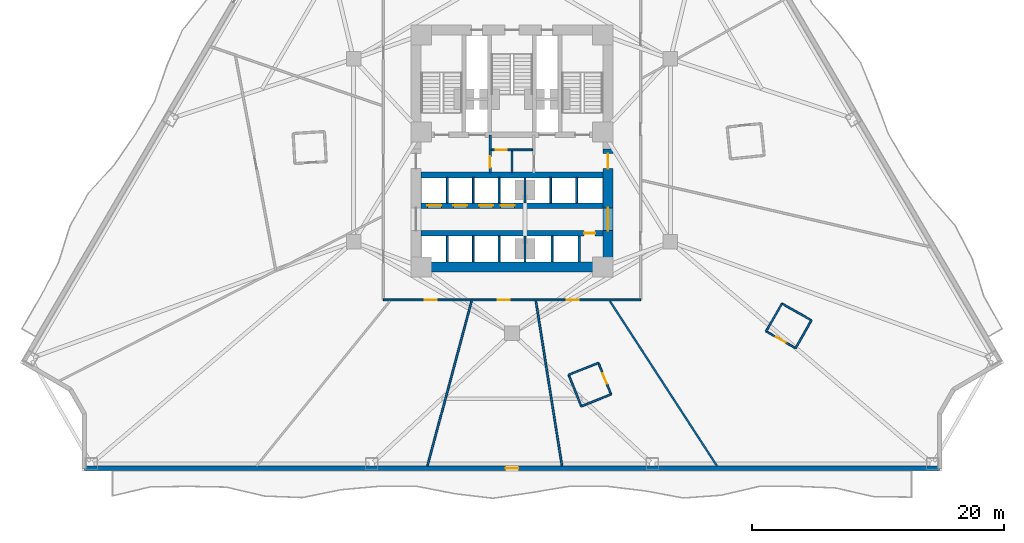
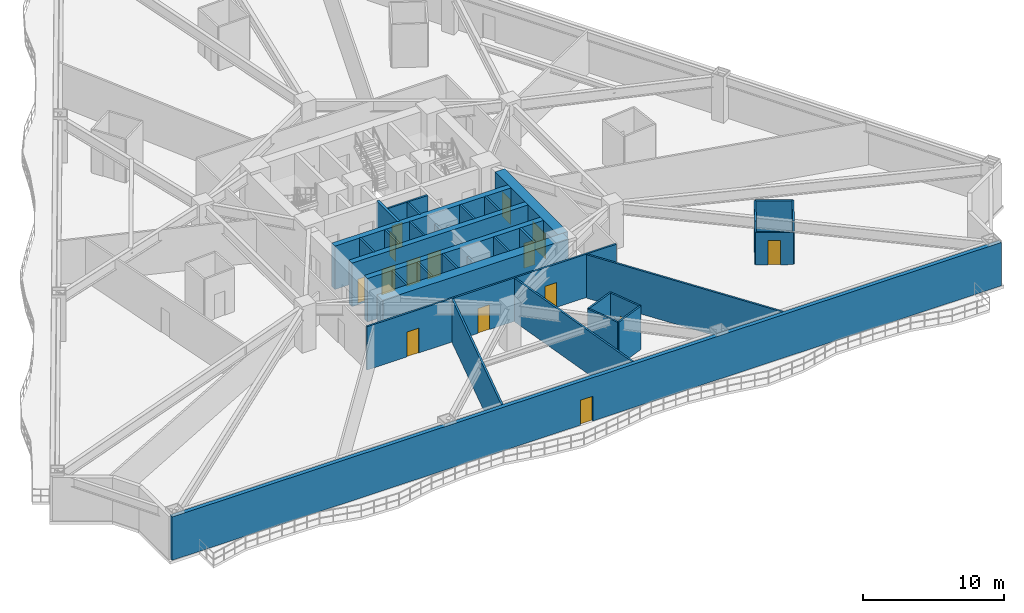
# One storey, part 4 of 12: 33 walls, 15 doors, 15 openings.
"""IFC4 building model written with IfcOpenShell, lengths in metres."""

from ifc_helpers import new_model, si_unit, direction, frame, frame_2d, origin, place, context, subcontext, project, spatial, rectangle, extrude, material, layer, layer_set, type_object, element, fill, save


model = new_model("IFC4")

# Units and contexts
model_context = context("Model", 3, precision=1e-05, world=origin(), true_north=direction((0.0, 1.0)))
body_context = subcontext(model_context, "Body", "Model", "MODEL_VIEW")
ifc_project = project(units=[si_unit("LENGTHUNIT", "METRE"), si_unit("AREAUNIT", "SQUARE_METRE"), si_unit("VOLUMEUNIT", "CUBIC_METRE"), si_unit("PLANEANGLEUNIT", "RADIAN"), si_unit("MASSUNIT", "GRAM", prefix="KILO")], contexts=[model_context])

# Site, building, storey
site_placement = place(None, origin())
site = spatial("IfcSite", under=ifc_project, at=site_placement, CompositionType="ELEMENT")
building_placement = place(site_placement, origin())
building = spatial("IfcBuilding", under=site, at=building_placement, Name="Apsidion Concourse Tower", CompositionType="ELEMENT")
storey_placement = place(building_placement, frame((0.0, 0.0, 42.39990234375)))
storey = spatial("IfcBuildingStorey", under=building, at=storey_placement, Name="L08", CompositionType="ELEMENT", Elevation=42.39990234375)

# Wall, opening, door
ifc_material_1 = material(Name="Precast concrete C40/50", Category="concrete")
ifc_layer_1 = layer(ifc_material_1, 0.320068359375)
ifc_layer_set_1 = layer_set([ifc_layer_1], Name="Precast concrete C40/50")
wall_type_1 = type_object("IfcWallType", Name="WL-EXT-320", PredefinedType="STANDARD", material=ifc_layer_set_1)
wall_1_placement = place(storey_placement, frame((33.88818359375, -25.199951171875, 0.0), z_axis=(0.0, 0.0, 1.0), x_axis=(-1.0, 0.0, 0.0)))
wall_1 = element("IfcWall", 1, at=wall_1_placement, inside=storey, type_object=wall_type_1, Name="L08 Precast Stone Facade Wall 05", PredefinedType="STANDARD", context=body_context, shape_type="SweptSolid", body=[
    extrude(rectangle(XDim=67.7763671875, YDim=0.320068359375, at=frame_2d((33.88818359375, 0.0))), origin(), (0.0, 0.0, 1.0), 3.75),
])
opening_1_placement = place(wall_1_placement, frame((33.38818359375, 0.0, 0.0)))
opening_1 = element("IfcOpeningElement", 2, at=opening_1_placement, cuts=wall_1, Name="Opening D-T1R", PredefinedType="OPENING", context=body_context, shape_type="SweptSolid", body=[
    extrude(rectangle(XDim=1.0, YDim=2.14990234375, at=frame_2d((0.5, 1.074951171875))), frame((0.0, 0.169921875, 0.0), z_axis=(0.0, -1.0, 0.0), x_axis=(1.0, 0.0, 0.0)), (0.0, 0.0, 1.0), 0.340087890625),
])
ifc_material_2 = material(Name="Anodised aluminium EN AW-6063 T6", Category="aluminium")
door_type_1 = type_object("IfcDoorType", Name="DR-TER-1022R", OperationType="SINGLE_SWING_RIGHT", PredefinedType="DOOR", material=ifc_material_2)
door_1_placement = place(opening_1_placement, origin())
door_1 = element("IfcDoor", 3, at=door_1_placement, inside=storey, type_object=door_type_1, Name="L08 Balcony Access Door 2", OperationType="SINGLE_SWING_RIGHT", OverallHeight=2.14990234375, OverallWidth=1.0, PredefinedType="DOOR", context=body_context, shape_type="SweptSolid", body=[
    extrude(rectangle(XDim=1.0, YDim=2.14990234375, at=frame_2d((0.5, 1.074951171875))), frame((0.0, 0.02490234375, 0.0), z_axis=(0.0, -1.0, 0.0), x_axis=(1.0, 0.0, 0.0)), (0.0, 0.0, 1.0), 0.050048828125),
])
fill(opening_1, door_1)

# Walls
ifc_material_3 = material(Name="Gypsum plasterboard partition")
ifc_layer_2 = layer(ifc_material_3, 0.139892578125)
ifc_layer_set_2 = layer_set([ifc_layer_2], Name="Gypsum plasterboard partition")
wall_type_2 = type_object("IfcWallType", Name="WL-INT-PAR-140", PredefinedType="PARTITIONING", material=ifc_layer_set_2)
wall_2_placement = place(storey_placement, frame((4.493408203125, -17.7958984375, 0.0), z_axis=(0.0, 0.0, 1.0), x_axis=(0.372939365788, -0.927855715855, 0.0)))
element("IfcWall", 4, at=wall_2_placement, inside=storey, type_object=wall_type_2, Name="L08 Interior Partition WL-L08-POD-ENS04-S1", PredefinedType="PARTITIONING", context=body_context, shape_type="SweptSolid", body=[
    extrude(rectangle(XDim=2.68994140625, YDim=0.139892578125, at=frame_2d((1.344970703125, 0.0))), origin(), (0.0, 0.0, 1.0), 3.75),
])
wall_3_placement = place(storey_placement, frame((5.49658203125, -20.291748046875, 0.0), z_axis=(0.0, 0.0, 1.0), x_axis=(0.927832366263, 0.372997453228, 0.0)))
element("IfcWall", 5, at=wall_3_placement, inside=storey, type_object=wall_type_2, Name="L08 Interior Partition WL-L08-POD-ENS04-S2", PredefinedType="PARTITIONING", context=body_context, shape_type="SweptSolid", body=[
    extrude(rectangle(XDim=2.540283203125, YDim=0.139892578125, at=frame_2d((1.27001953125, 0.0))), origin(), (0.0, 0.0, 1.0), 3.75),
])

# Wall, opening, door
wall_4_placement = place(storey_placement, frame((7.853515625, -19.34423828125, 0.0), z_axis=(0.0, 0.0, 1.0), x_axis=(-0.373017499945, 0.92782430704, 0.0)))
wall_4 = element("IfcWall", 6, at=wall_4_placement, inside=storey, type_object=wall_type_2, Name="L08 Interior Partition WL-L08-POD-ENS04-S3", PredefinedType="PARTITIONING", context=body_context, shape_type="SweptSolid", body=[
    extrude(rectangle(XDim=2.68994140625, YDim=0.139892578125, at=frame_2d((1.344970703125, 0.0))), origin(), (0.0, 0.0, 1.0), 3.75),
])
opening_2_placement = place(wall_4_placement, frame((0.905029296875, 0.0, 0.0)))
opening_2 = element("IfcOpeningElement", 7, at=opening_2_placement, cuts=wall_4, Name="Opening D-03L", PredefinedType="OPENING", context=body_context, shape_type="SweptSolid", body=[
    extrude(rectangle(XDim=0.8798828125, YDim=2.10009765625, at=frame_2d((0.43994140625, 1.050048828125))), frame((0.0, 0.080078125, 0.0), z_axis=(0.0, -1.0, 0.0), x_axis=(1.0, 0.0, 0.0)), (0.0, 0.0, 1.0), 0.159912109375),
])
door_type_2 = type_object("IfcDoorType", Name="DR-INT-D03L", OperationType="SINGLE_SWING_LEFT", PredefinedType="DOOR", material=ifc_material_2)
door_2_placement = place(opening_2_placement, origin())
door_2 = element("IfcDoor", 8, at=door_2_placement, inside=storey, type_object=door_type_2, Name="L08 Guest En-Suite Bathroom Door ENS04", OperationType="SINGLE_SWING_LEFT", OverallHeight=2.10009765625, OverallWidth=0.8798828125, PredefinedType="DOOR", context=body_context, shape_type="SweptSolid", body=[
    extrude(rectangle(XDim=0.8798828125, YDim=2.10009765625, at=frame_2d((0.43994140625, 1.050048828125))), frame((0.0, 0.02490234375, 0.0), z_axis=(0.0, -1.0, 0.0), x_axis=(1.0, 0.0, 0.0)), (0.0, 0.0, 1.0), 0.050048828125),
])
fill(opening_2, door_2)

# Wall
wall_5_placement = place(storey_placement, frame((6.85009765625, -16.848388671875, 0.0), z_axis=(0.0, 0.0, 1.0), x_axis=(-0.927818993164, -0.373030717132, 0.0)))
element("IfcWall", 9, at=wall_5_placement, inside=storey, type_object=wall_type_2, Name="L08 Interior Partition WL-L08-POD-ENS04-S4", PredefinedType="PARTITIONING", context=body_context, shape_type="SweptSolid", body=[
    extrude(rectangle(XDim=2.5400390625, YDim=0.139892578125, at=frame_2d((1.27001953125, 0.0))), origin(), (0.0, 0.0, 1.0), 3.75),
])

# Wall, opening, door
wall_6_placement = place(storey_placement, frame((20.142578125, -14.349853515625, 0.0), z_axis=(0.0, 0.0, 1.0), x_axis=(0.868639404981, -0.495444834583, 0.0)))
wall_6 = element("IfcWall", 10, at=wall_6_placement, inside=storey, type_object=wall_type_2, Name="L08 Interior Partition WL-L08-POD-ENS05-S1", PredefinedType="PARTITIONING", context=body_context, shape_type="SweptSolid", body=[
    extrude(rectangle(XDim=2.68994140625, YDim=0.139892578125, at=frame_2d((1.344970703125, 0.0))), origin(), (0.0, 0.0, 1.0), 2.798095703125),
])
opening_3_placement = place(wall_6_placement, frame((0.905029296875, 0.0, 0.0)))
opening_3 = element("IfcOpeningElement", 11, at=opening_3_placement, cuts=wall_6, Name="Opening D-03R", PredefinedType="OPENING", context=body_context, shape_type="SweptSolid", body=[
    extrude(rectangle(XDim=0.8798828125, YDim=2.10009765625, at=frame_2d((0.43994140625, 1.050048828125))), frame((0.0, 0.080078125, 0.0), z_axis=(0.0, -1.0, 0.0), x_axis=(1.0, 0.0, 0.0)), (0.0, 0.0, 1.0), 0.159912109375),
])
door_type_3 = type_object("IfcDoorType", Name="DR-INT-D03R", OperationType="SINGLE_SWING_RIGHT", PredefinedType="DOOR", material=ifc_material_2)
door_3_placement = place(opening_3_placement, origin())
door_3 = element("IfcDoor", 12, at=door_3_placement, inside=storey, type_object=door_type_3, Name="L08 Guest En-Suite Bathroom Door ENS05", OperationType="SINGLE_SWING_RIGHT", OverallHeight=2.10009765625, OverallWidth=0.8798828125, PredefinedType="DOOR", context=body_context, shape_type="SweptSolid", body=[
    extrude(rectangle(XDim=0.8798828125, YDim=2.10009765625, at=frame_2d((0.43994140625, 1.050048828125))), frame((0.0, 0.02490234375, 0.0), z_axis=(0.0, -1.0, 0.0), x_axis=(1.0, 0.0, 0.0)), (0.0, 0.0, 1.0), 0.050048828125),
])
fill(opening_3, door_3)

# Walls
wall_7_placement = place(storey_placement, frame((22.479248046875, -15.6826171875, 0.0), z_axis=(0.0, 0.0, 1.0), x_axis=(0.495486676876, 0.868615538105, 0.0)))
element("IfcWall", 13, at=wall_7_placement, inside=storey, type_object=wall_type_2, Name="L08 Interior Partition WL-L08-POD-ENS05-S2", PredefinedType="PARTITIONING", context=body_context, shape_type="SweptSolid", body=[
    extrude(rectangle(XDim=2.5400390625, YDim=0.139892578125, at=frame_2d((1.27001953125, 0.0))), origin(), (0.0, 0.0, 1.0), 3.75),
])
wall_8_placement = place(storey_placement, frame((23.73779296875, -13.476318359375, 0.0), z_axis=(0.0, 0.0, 1.0), x_axis=(-0.868639404981, 0.495444834583, 0.0)))
element("IfcWall", 14, at=wall_8_placement, inside=storey, type_object=wall_type_2, Name="L08 Interior Partition WL-L08-POD-ENS05-S3", PredefinedType="PARTITIONING", context=body_context, shape_type="SweptSolid", body=[
    extrude(rectangle(XDim=2.68994140625, YDim=0.139892578125, at=frame_2d((1.344970703125, 0.0))), origin(), (0.0, 0.0, 1.0), 3.75),
])
wall_9_placement = place(storey_placement, frame((21.401123046875, -12.1435546875, 0.0), z_axis=(0.0, 0.0, 1.0), x_axis=(-0.495486676876, -0.868615538105, 0.0)))
element("IfcWall", 15, at=wall_9_placement, inside=storey, type_object=wall_type_2, Name="L08 Interior Partition WL-L08-POD-ENS05-S4", PredefinedType="PARTITIONING", context=body_context, shape_type="SweptSolid", body=[
    extrude(rectangle(XDim=2.5400390625, YDim=0.139892578125, at=frame_2d((1.27001953125, 0.0))), origin(), (0.0, 0.0, 1.0), 3.75),
])
ifc_layer_3 = layer(ifc_material_3, 0.14990234375)
ifc_layer_set_3 = layer_set([ifc_layer_3], Name="Gypsum plasterboard partition")
wall_type_3 = type_object("IfcWallType", Name="WL-INT-PAR-150", PredefinedType="PARTITIONING", material=ifc_layer_set_3)
for number, where, z_axis, x_axis, name in (
    (16, (-5.125, -4.179931640625, 0.0), (0.0, 0.0, 1.0), (0.0, 1.0, 0.0), "L08 Interior Partition WL-L08-B1DIV-1"),
    (17, (-3.074951171875, -4.179931640625, 0.0), (0.0, 0.0, 1.0), (0.0, 1.0, 0.0), "L08 Interior Partition WL-L08-B1DIV-2"),
    (18, (-1.02490234375, -4.179931640625, 0.0), (0.0, 0.0, 1.0), (0.0, 1.0, 0.0), "L08 Interior Partition WL-L08-B1DIV-3"),
    (19, (3.074951171875, -4.179931640625, 0.0), (0.0, 0.0, 1.0), (0.0, 1.0, 0.0), "L08 Interior Partition WL-L08-B3DIV-1"),
    (20, (5.125, -4.179931640625, 0.0), (0.0, 0.0, 1.0), (0.0, 1.0, 0.0), "L08 Interior Partition WL-L08-B3DIV-2"),
):
    element("IfcWall", number, at=place(storey_placement, frame(where, z_axis=z_axis, x_axis=x_axis)), inside=storey, type_object=wall_type_3, Name=name, PredefinedType="PARTITIONING", context=body_context, shape_type="SweptSolid", body=[
        extrude(rectangle(XDim=2.030029296875, YDim=0.14990234375, at=frame_2d((1.01513671875, 0.0))), origin(), (0.0, 0.0, 1.0), 3.75),
    ])
for number, where, z_axis, x_axis, name in (
    (21, (-5.125, -8.85009765625, 0.0), (0.0, 0.0, 1.0), (0.0, 1.0, 0.0), "L08 Interior Partition WL-L08-B2DIV-1"),
    (22, (-3.074951171875, -8.85009765625, 0.0), (0.0, 0.0, 1.0), (0.0, 1.0, 0.0), "L08 Interior Partition WL-L08-B2DIV-2"),
    (23, (-1.02490234375, -8.85009765625, 0.0), (0.0, 0.0, 1.0), (0.0, 1.0, 0.0), "L08 Interior Partition WL-L08-B2DIV-3"),
    (24, (3.175048828125, -8.85009765625, 0.0), (0.0, 0.0, 1.0), (0.0, 1.0, 0.0), "L08 Interior Partition WL-L08-SHDIV-1"),
):
    element("IfcWall", number, at=place(storey_placement, frame(where, z_axis=z_axis, x_axis=x_axis)), inside=storey, type_object=wall_type_3, Name=name, PredefinedType="PARTITIONING", context=body_context, shape_type="SweptSolid", body=[
        extrude(rectangle(XDim=2.080078125, YDim=0.14990234375, at=frame_2d((1.0400390625, 0.0))), origin(), (0.0, 0.0, 1.0), 3.75),
    ])

# Wall, opening, door
wall_10_placement = place(storey_placement, frame((-1.639892578125, 0.0400390625, 0.0), z_axis=(0.0, 0.0, 1.0), x_axis=(1.0, 0.0, 0.0)))
wall_10 = element("IfcWall", 25, at=wall_10_placement, inside=storey, type_object=wall_type_3, Name="L08 Interior Partition WL-L08-K4H", PredefinedType="PARTITIONING", context=body_context, shape_type="SweptSolid", body=[
    extrude(rectangle(XDim=3.27978515625, YDim=0.14990234375, at=frame_2d((1.639892578125, 0.0))), origin(), (0.0, 0.0, 1.0), 3.75),
])
opening_4_placement = place(wall_10_placement, frame((0.360107421875, 0.0, 0.0)))
opening_4 = element("IfcOpeningElement", 26, at=opening_4_placement, cuts=wall_10, Name="Opening D-03L", PredefinedType="OPENING", context=body_context, shape_type="SweptSolid", body=[
    extrude(rectangle(XDim=0.8798828125, YDim=2.10009765625, at=frame_2d((0.43994140625, 1.050048828125))), frame((0.0, 0.0849609375, 0.0), z_axis=(0.0, -1.0, 0.0), x_axis=(1.0, 0.0, 0.0)), (0.0, 0.0, 1.0), 0.169921875),
])
door_4_placement = place(opening_4_placement, origin())
door_4 = element("IfcDoor", 27, at=door_4_placement, inside=storey, type_object=door_type_2, Name="L08 Core Telecoms Door", OperationType="SINGLE_SWING_LEFT", OverallHeight=2.10009765625, OverallWidth=0.8798828125, PredefinedType="DOOR", context=body_context, shape_type="SweptSolid", body=[
    extrude(rectangle(XDim=0.8798828125, YDim=2.10009765625, at=frame_2d((0.43994140625, 1.050048828125))), frame((0.0, 0.02490234375, 0.0), z_axis=(0.0, -1.0, 0.0), x_axis=(1.0, 0.0, 0.0)), (0.0, 0.0, 1.0), 0.050048828125),
])
fill(opening_4, door_4)

# Wall
wall_11_placement = place(storey_placement, frame((0.0, -1.780029296875, 0.0), z_axis=(0.0, 0.0, 1.0), x_axis=(0.0, 1.0, 0.0)))
element("IfcWall", 28, at=wall_11_placement, inside=storey, type_object=wall_type_3, Name="L08 Interior Partition WL-L08-K4V", PredefinedType="PARTITIONING", context=body_context, shape_type="SweptSolid", body=[
    extrude(rectangle(XDim=1.72998046875, YDim=0.14990234375, at=frame_2d((0.864990234375, 0.0))), origin(), (0.0, 0.0, 1.0), 3.75),
])

# Wall, openings, doors
wall_12_placement = place(storey_placement, frame((10.199951171875, -11.85009765625, 0.0), z_axis=(0.0, 0.0, 1.0), x_axis=(-1.0, 0.0, 0.0)))
wall_12 = element("IfcWall", 29, at=wall_12_placement, inside=storey, type_object=wall_type_3, Name="L08 Interior Partition WL-L08-CORR-03", PredefinedType="PARTITIONING", context=body_context, shape_type="SweptSolid", body=[
    extrude(rectangle(XDim=20.39990234375, YDim=0.14990234375, at=frame_2d((10.199951171875, 0.0))), origin(), (0.0, 0.0, 1.0), 3.75),
])
opening_5_placement = place(wall_12_placement, frame((16.165283203125, 0.0, 0.0)))
opening_5 = element("IfcOpeningElement", 30, at=opening_5_placement, cuts=wall_12, Name="Opening D-01L", PredefinedType="OPENING", context=body_context, shape_type="SweptSolid", body=[
    extrude(rectangle(XDim=0.949951171875, YDim=2.14990234375, at=frame_2d((0.47509765625, 1.074951171875))), frame((0.0, 0.0849609375, 0.0), z_axis=(0.0, -1.0, 0.0), x_axis=(1.0, 0.0, 0.0)), (0.0, 0.0, 1.0), 0.169921875),
])
opening_6_placement = place(wall_12_placement, frame((10.377685546875, 0.0, 0.0)))
opening_6 = element("IfcOpeningElement", 31, at=opening_6_placement, cuts=wall_12, Name="Opening D-01R", PredefinedType="OPENING", context=body_context, shape_type="SweptSolid", body=[
    extrude(rectangle(XDim=0.949951171875, YDim=2.14990234375, at=frame_2d((0.47509765625, 1.074951171875))), frame((0.0, 0.0849609375, 0.0), z_axis=(0.0, -1.0, 0.0), x_axis=(1.0, 0.0, 0.0)), (0.0, 0.0, 1.0), 0.169921875),
])
opening_7_placement = place(wall_12_placement, frame((4.90234375, 0.0, 0.0)))
opening_7 = element("IfcOpeningElement", 32, at=opening_7_placement, cuts=wall_12, Name="Opening D-01L", PredefinedType="OPENING", context=body_context, shape_type="SweptSolid", body=[
    extrude(rectangle(XDim=0.949951171875, YDim=2.14990234375, at=frame_2d((0.47509765625, 1.074951171875))), frame((0.0, 0.0849609375, 0.0), z_axis=(0.0, -1.0, 0.0), x_axis=(1.0, 0.0, 0.0)), (0.0, 0.0, 1.0), 0.169921875),
])
ifc_material_4 = material(Name="Brushed stainless steel 316", Category="steel")
door_type_4 = type_object("IfcDoorType", Name="DR-INT-D01L", OperationType="SINGLE_SWING_LEFT", PredefinedType="DOOR", material=ifc_material_4)
door_5_placement = place(opening_5_placement, origin())
door_5 = element("IfcDoor", 33, at=door_5_placement, inside=storey, type_object=door_type_4, Name="L08 Corridor Entry Door 03", OperationType="SINGLE_SWING_LEFT", OverallHeight=2.14990234375, OverallWidth=0.949951171875, PredefinedType="DOOR", context=body_context, shape_type="SweptSolid", body=[
    extrude(rectangle(XDim=0.949951171875, YDim=2.14990234375, at=frame_2d((0.47509765625, 1.074951171875))), frame((0.0, 0.02490234375, 0.0), z_axis=(0.0, -1.0, 0.0), x_axis=(1.0, 0.0, 0.0)), (0.0, 0.0, 1.0), 0.050048828125),
])
fill(opening_5, door_5)
door_6_placement = place(opening_7_placement, origin())
door_6 = element("IfcDoor", 34, at=door_6_placement, inside=storey, type_object=door_type_4, Name="L08 Corridor Entry Door 05", OperationType="SINGLE_SWING_LEFT", OverallHeight=2.14990234375, OverallWidth=0.949951171875, PredefinedType="DOOR", context=body_context, shape_type="SweptSolid", body=[
    extrude(rectangle(XDim=0.949951171875, YDim=2.14990234375, at=frame_2d((0.47509765625, 1.074951171875))), frame((0.0, 0.02490234375, 0.0), z_axis=(0.0, -1.0, 0.0), x_axis=(1.0, 0.0, 0.0)), (0.0, 0.0, 1.0), 0.050048828125),
])
fill(opening_7, door_6)
door_type_5 = type_object("IfcDoorType", Name="DR-INT-D01R", OperationType="SINGLE_SWING_RIGHT", PredefinedType="DOOR", material=ifc_material_4)
door_7_placement = place(opening_6_placement, origin())
door_7 = element("IfcDoor", 35, at=door_7_placement, inside=storey, type_object=door_type_5, Name="L08 Corridor Entry Door 04", OperationType="SINGLE_SWING_RIGHT", OverallHeight=2.14990234375, OverallWidth=0.949951171875, PredefinedType="DOOR", context=body_context, shape_type="SweptSolid", body=[
    extrude(rectangle(XDim=0.949951171875, YDim=2.14990234375, at=frame_2d((0.47509765625, 1.074951171875))), frame((0.0, 0.02490234375, 0.0), z_axis=(0.0, -1.0, 0.0), x_axis=(1.0, 0.0, 0.0)), (0.0, 0.0, 1.0), 0.050048828125),
])
fill(opening_6, door_7)

# Walls
wall_13_placement = place(storey_placement, frame((-3.203369140625, -11.955078125, 0.0), z_axis=(0.0, 0.0, 1.0), x_axis=(-0.258812444801, -0.96592759481, 0.0)))
element("IfcWall", 36, at=wall_13_placement, inside=storey, type_object=wall_type_3, Name="L08 Interior Partition WL-L08-RAD-07-1", PredefinedType="PARTITIONING", context=body_context, shape_type="SweptSolid", body=[
    extrude(rectangle(XDim=13.53076171875, YDim=0.14990234375, at=frame_2d((6.765380859375, 0.0))), origin(), (0.0, 0.0, 1.0), 3.75),
])
wall_14_placement = place(storey_placement, frame((1.8935546875, -11.955078125, 0.0), z_axis=(0.0, 0.0, 1.0), x_axis=(0.156435317647, -0.987688205555, 0.0)))
element("IfcWall", 37, at=wall_14_placement, inside=storey, type_object=wall_type_3, Name="L08 Interior Partition WL-L08-RAD-08-1", PredefinedType="PARTITIONING", context=body_context, shape_type="SweptSolid", body=[
    extrude(rectangle(XDim=13.232666015625, YDim=0.14990234375, at=frame_2d((6.6162109375, 0.0))), origin(), (0.0, 0.0, 1.0), 3.75),
])
wall_15_placement = place(storey_placement, frame((7.763671875, -11.955078125, 0.0), z_axis=(0.0, 0.0, 1.0), x_axis=(0.544645799626, -0.838666174917, 0.0)))
element("IfcWall", 38, at=wall_15_placement, inside=storey, type_object=wall_type_3, Name="L08 Interior Partition WL-L08-RAD-09-1", PredefinedType="PARTITIONING", context=body_context, shape_type="SweptSolid", body=[
    extrude(rectangle(XDim=15.583984375, YDim=0.14990234375, at=frame_2d((7.7919921875, 0.0))), origin(), (0.0, 0.0, 1.0), 3.75),
])
ifc_layer_4 = layer(ifc_material_3, 0.179931640625)
ifc_layer_set_4 = layer_set([ifc_layer_4], Name="Gypsum plasterboard partition")
wall_type_4 = type_object("IfcWallType", Name="WL-INT-PAR-180", PredefinedType="PARTITIONING", material=ifc_layer_set_4)
wall_16_placement = place(storey_placement, frame((1.02490234375, -4.179931640625, 0.0), z_axis=(0.0, 0.0, 1.0), x_axis=(0.0, 1.0, 0.0)))
element("IfcWall", 39, at=wall_16_placement, inside=storey, type_object=wall_type_4, Name="L08 Interior Partition WL-L08-B1END", PredefinedType="PARTITIONING", context=body_context, shape_type="SweptSolid", body=[
    extrude(rectangle(XDim=2.030029296875, YDim=0.179931640625, at=frame_2d((1.01513671875, 0.0))), origin(), (0.0, 0.0, 1.0), 2.798095703125),
])
wall_17_placement = place(storey_placement, frame((1.02490234375, -8.85009765625, 0.0), z_axis=(0.0, 0.0, 1.0), x_axis=(0.0, 1.0, 0.0)))
element("IfcWall", 40, at=wall_17_placement, inside=storey, type_object=wall_type_4, Name="L08 Interior Partition WL-L08-B2END", PredefinedType="PARTITIONING", context=body_context, shape_type="SweptSolid", body=[
    extrude(rectangle(XDim=2.080078125, YDim=0.179931640625, at=frame_2d((1.0400390625, 0.0))), origin(), (0.0, 0.0, 1.0), 2.798095703125),
])
wall_18_placement = place(storey_placement, frame((5.324951171875, -8.85009765625, 0.0), z_axis=(0.0, 0.0, 1.0), x_axis=(0.0, 1.0, 0.0)))
element("IfcWall", 41, at=wall_18_placement, inside=storey, type_object=wall_type_4, Name="L08 Interior Partition WL-L08-SHDIV-2", PredefinedType="PARTITIONING", context=body_context, shape_type="SweptSolid", body=[
    extrude(rectangle(XDim=2.080078125, YDim=0.179931640625, at=frame_2d((1.0400390625, 0.0))), origin(), (0.0, 0.0, 1.0), 3.75),
])

# Wall, opening, door
ifc_layer_5 = layer(ifc_material_3, 0.199951171875)
ifc_layer_set_5 = layer_set([ifc_layer_5], Name="Gypsum plasterboard partition")
wall_type_5 = type_object("IfcWallType", Name="WL-INT-PAR-200", PredefinedType="PARTITIONING", material=ifc_layer_set_5)
wall_19_placement = place(storey_placement, frame((-1.739990234375, -1.780029296875, 0.0), z_axis=(0.0, 0.0, 1.0), x_axis=(0.0, 1.0, 0.0)))
wall_19 = element("IfcWall", 42, at=wall_19_placement, inside=storey, type_object=wall_type_5, Name="L08 Interior Partition WL-L08-FF1-E", PredefinedType="PARTITIONING", context=body_context, shape_type="SweptSolid", body=[
    extrude(rectangle(XDim=2.97998046875, YDim=0.199951171875, at=frame_2d((1.489990234375, 0.0))), origin(), (0.0, 0.0, 1.0), 3.75),
])
opening_8_placement = place(wall_19_placement, frame((0.419921875, 0.0, 0.0)))
opening_8 = element("IfcOpeningElement", 43, at=opening_8_placement, cuts=wall_19, Name="Opening D-05R", PredefinedType="OPENING", context=body_context, shape_type="SweptSolid", body=[
    extrude(rectangle(XDim=0.8798828125, YDim=2.14990234375, at=frame_2d((0.43994140625, 1.074951171875))), frame((0.0, 0.10986328125, 0.0), z_axis=(0.0, -1.0, 0.0), x_axis=(1.0, 0.0, 0.0)), (0.0, 0.0, 1.0), 0.219970703125),
])
door_type_6 = type_object("IfcDoorType", Name="DR-INT-D05R", OperationType="SINGLE_SWING_RIGHT", PredefinedType="DOOR", material=ifc_material_4)
door_8_placement = place(opening_8_placement, origin())
door_8 = element("IfcDoor", 44, at=door_8_placement, inside=storey, type_object=door_type_6, Name="L08 Core Switch Room Door", OperationType="SINGLE_SWING_RIGHT", OverallHeight=2.14990234375, OverallWidth=0.8798828125, PredefinedType="DOOR", context=body_context, shape_type="SweptSolid", body=[
    extrude(rectangle(XDim=0.8798828125, YDim=2.14990234375, at=frame_2d((0.43994140625, 1.074951171875))), frame((0.0, 0.02490234375, 0.0), z_axis=(0.0, -1.0, 0.0), x_axis=(1.0, 0.0, 0.0)), (0.0, 0.0, 1.0), 0.050048828125),
])
fill(opening_8, door_8)

# Wall
ifc_material_5 = material(Name="Concrete C60/75", Category="concrete")
ifc_layer_6 = layer(ifc_material_5, 0.449951171875)
ifc_layer_set_6 = layer_set([ifc_layer_6], Name="Concrete C60/75")
wall_type_6 = type_object("IfcWallType", Name="WL-SH-450", PredefinedType="SHEAR", material=ifc_layer_set_6)
wall_20_placement = place(storey_placement, frame((-7.199951171875, -1.949951171875, 0.0), z_axis=(0.0, 0.0, 1.0), x_axis=(1.0, 0.0, 0.0)))
element("IfcWall", 45, at=wall_20_placement, inside=storey, type_object=wall_type_6, Name="L08 Central Core Shear Wall M2", PredefinedType="SHEAR", context=body_context, shape_type="SweptSolid", body=[
    extrude(rectangle(XDim=14.39990234375, YDim=0.449951171875, at=frame_2d((7.199951171875, 0.0))), origin(), (0.0, 0.0, 1.0), 3.75),
])

# Wall, openings, doors
wall_21_placement = place(storey_placement, frame((-7.199951171875, -4.3798828125, 0.0), z_axis=(0.0, 0.0, 1.0), x_axis=(1.0, 0.0, 0.0)))
wall_21 = element("IfcWall", 46, at=wall_21_placement, inside=storey, type_object=wall_type_6, Name="L08 Central Core Shear Wall LA", PredefinedType="SHEAR", context=body_context, shape_type="SweptSolid", body=[
    extrude(rectangle(XDim=14.39990234375, YDim=0.449951171875, at=frame_2d((7.199951171875, 0.0))), origin(), (0.0, 0.0, 1.0), 3.75),
])
opening_9_placement = place(wall_21_placement, frame((0.5, 0.0, 0.0)))
opening_9 = element("IfcOpeningElement", 47, at=opening_9_placement, cuts=wall_21, Name="Opening LD-P1", PredefinedType="OPENING", context=body_context, shape_type="SweptSolid", body=[
    extrude(rectangle(XDim=1.10009765625, YDim=2.199951171875, at=frame_2d((0.550048828125, 1.10009765625))), frame((0.0, 0.23486328125, 0.0), z_axis=(0.0, -1.0, 0.0), x_axis=(1.0, 0.0, 0.0)), (0.0, 0.0, 1.0), 0.469970703125),
])
opening_10_placement = place(wall_21_placement, frame((2.550048828125, 0.0, 0.0)))
opening_10 = element("IfcOpeningElement", 48, at=opening_10_placement, cuts=wall_21, Name="Opening LD-P1", PredefinedType="OPENING", context=body_context, shape_type="SweptSolid", body=[
    extrude(rectangle(XDim=1.10009765625, YDim=2.199951171875, at=frame_2d((0.550048828125, 1.10009765625))), frame((0.0, 0.23486328125, 0.0), z_axis=(0.0, -1.0, 0.0), x_axis=(1.0, 0.0, 0.0)), (0.0, 0.0, 1.0), 0.469970703125),
])
opening_11_placement = place(wall_21_placement, frame((4.60009765625, 0.0, 0.0)))
opening_11 = element("IfcOpeningElement", 49, at=opening_11_placement, cuts=wall_21, Name="Opening LD-P1", PredefinedType="OPENING", context=body_context, shape_type="SweptSolid", body=[
    extrude(rectangle(XDim=1.10009765625, YDim=2.199951171875, at=frame_2d((0.550048828125, 1.10009765625))), frame((0.0, 0.23486328125, 0.0), z_axis=(0.0, -1.0, 0.0), x_axis=(1.0, 0.0, 0.0)), (0.0, 0.0, 1.0), 0.469970703125),
])
opening_12_placement = place(wall_21_placement, frame((6.300048828125, 0.0, 0.0)))
opening_12 = element("IfcOpeningElement", 50, at=opening_12_placement, cuts=wall_21, Name="Opening LD-P1", PredefinedType="OPENING", context=body_context, shape_type="SweptSolid", body=[
    extrude(rectangle(XDim=1.10009765625, YDim=2.199951171875, at=frame_2d((0.550048828125, 1.10009765625))), frame((0.0, 0.23486328125, 0.0), z_axis=(0.0, -1.0, 0.0), x_axis=(1.0, 0.0, 0.0)), (0.0, 0.0, 1.0), 0.469970703125),
])
door_type_7 = type_object("IfcDoorType", Name="DR-LD-PASS", OperationType="DOUBLE_DOOR_SLIDING", PredefinedType="DOOR", material=ifc_material_4)
door_9_placement = place(opening_9_placement, origin())
door_9 = element("IfcDoor", 51, at=door_9_placement, inside=storey, type_object=door_type_7, Name="L08 Lift Landing Door P1", OperationType="DOUBLE_DOOR_SLIDING", OverallHeight=2.199951171875, OverallWidth=1.10009765625, PredefinedType="DOOR", context=body_context, shape_type="SweptSolid", body=[
    extrude(rectangle(XDim=1.10009765625, YDim=2.199951171875, at=frame_2d((0.550048828125, 1.10009765625))), frame((0.0, 0.02490234375, 0.0), z_axis=(0.0, -1.0, 0.0), x_axis=(1.0, 0.0, 0.0)), (0.0, 0.0, 1.0), 0.050048828125),
])
fill(opening_9, door_9)
door_10_placement = place(opening_10_placement, origin())
door_10 = element("IfcDoor", 52, at=door_10_placement, inside=storey, type_object=door_type_7, Name="L08 Lift Landing Door P2", OperationType="DOUBLE_DOOR_SLIDING", OverallHeight=2.199951171875, OverallWidth=1.10009765625, PredefinedType="DOOR", context=body_context, shape_type="SweptSolid", body=[
    extrude(rectangle(XDim=1.10009765625, YDim=2.199951171875, at=frame_2d((0.550048828125, 1.10009765625))), frame((0.0, 0.02490234375, 0.0), z_axis=(0.0, -1.0, 0.0), x_axis=(1.0, 0.0, 0.0)), (0.0, 0.0, 1.0), 0.050048828125),
])
fill(opening_10, door_10)
door_11_placement = place(opening_11_placement, origin())
door_11 = element("IfcDoor", 53, at=door_11_placement, inside=storey, type_object=door_type_7, Name="L08 Lift Landing Door P3", OperationType="DOUBLE_DOOR_SLIDING", OverallHeight=2.199951171875, OverallWidth=1.10009765625, PredefinedType="DOOR", context=body_context, shape_type="SweptSolid", body=[
    extrude(rectangle(XDim=1.10009765625, YDim=2.199951171875, at=frame_2d((0.550048828125, 1.10009765625))), frame((0.0, 0.02490234375, 0.0), z_axis=(0.0, -1.0, 0.0), x_axis=(1.0, 0.0, 0.0)), (0.0, 0.0, 1.0), 0.050048828125),
])
fill(opening_11, door_11)
door_12_placement = place(opening_12_placement, origin())
door_12 = element("IfcDoor", 54, at=door_12_placement, inside=storey, type_object=door_type_7, Name="L08 Lift Landing Door P4", OperationType="DOUBLE_DOOR_SLIDING", OverallHeight=2.199951171875, OverallWidth=1.10009765625, PredefinedType="DOOR", context=body_context, shape_type="SweptSolid", body=[
    extrude(rectangle(XDim=1.10009765625, YDim=2.199951171875, at=frame_2d((0.550048828125, 1.10009765625))), frame((0.0, 0.02490234375, 0.0), z_axis=(0.0, -1.0, 0.0), x_axis=(1.0, 0.0, 0.0)), (0.0, 0.0, 1.0), 0.050048828125),
])
fill(opening_12, door_12)

# Wall, opening, door
wall_22_placement = place(storey_placement, frame((-7.199951171875, -6.570068359375, 0.0), z_axis=(0.0, 0.0, 1.0), x_axis=(1.0, 0.0, 0.0)))
wall_22 = element("IfcWall", 55, at=wall_22_placement, inside=storey, type_object=wall_type_6, Name="L08 Central Core Shear Wall LB", PredefinedType="SHEAR", context=body_context, shape_type="SweptSolid", body=[
    extrude(rectangle(XDim=14.39990234375, YDim=0.449951171875, at=frame_2d((7.199951171875, 0.0))), origin(), (0.0, 0.0, 1.0), 3.75),
])
opening_13_placement = place(wall_22_placement, frame((12.909912109375, 0.0, 0.0)))
opening_13 = element("IfcOpeningElement", 56, at=opening_13_placement, cuts=wall_22, Name="Opening D-05L", PredefinedType="OPENING", context=body_context, shape_type="SweptSolid", body=[
    extrude(rectangle(XDim=0.8798828125, YDim=2.14990234375, at=frame_2d((0.43994140625, 1.074951171875))), frame((0.0, 0.23486328125, 0.0), z_axis=(0.0, -1.0, 0.0), x_axis=(1.0, 0.0, 0.0)), (0.0, 0.0, 1.0), 0.469970703125),
])
door_type_8 = type_object("IfcDoorType", Name="DR-INT-D05L", OperationType="SINGLE_SWING_LEFT", PredefinedType="DOOR", material=ifc_material_4)
door_13_placement = place(opening_13_placement, origin())
door_13 = element("IfcDoor", 57, at=door_13_placement, inside=storey, type_object=door_type_8, Name="L08 Cleaners Store Door", OperationType="SINGLE_SWING_LEFT", OverallHeight=2.14990234375, OverallWidth=0.8798828125, PredefinedType="DOOR", context=body_context, shape_type="SweptSolid", body=[
    extrude(rectangle(XDim=0.8798828125, YDim=2.14990234375, at=frame_2d((0.43994140625, 1.074951171875))), frame((0.0, 0.02490234375, 0.0), z_axis=(0.0, -1.0, 0.0), x_axis=(1.0, 0.0, 0.0)), (0.0, 0.0, 1.0), 0.050048828125),
])
fill(opening_13, door_13)

# Wall, openings, doors
ifc_layer_7 = layer(ifc_material_5, 0.800048828125)
ifc_layer_set_7 = layer_set([ifc_layer_7], Name="Concrete C60/75")
wall_type_7 = type_object("IfcWallType", Name="WL-SH-800", PredefinedType="SHEAR", material=ifc_layer_set_7)
wall_23_placement = place(storey_placement, frame((7.60009765625, -8.85009765625, 0.0), z_axis=(0.0, 0.0, 1.0), x_axis=(0.0, 1.0, 0.0)))
wall_23 = element("IfcWall", 58, at=wall_23_placement, inside=storey, type_object=wall_type_7, Name="L08 Central Core Shear Wall ES", PredefinedType="SHEAR", context=body_context, shape_type="SweptSolid", body=[
    extrude(rectangle(XDim=8.9501953125, YDim=0.800048828125, at=frame_2d((4.47509765625, 0.0))), origin(), (0.0, 0.0, 1.0), 3.75),
])
opening_14_placement = place(wall_23_placement, frame((2.489990234375, 0.0, 0.0)))
opening_14 = element("IfcOpeningElement", 59, at=opening_14_placement, cuts=wall_23, Name="Opening D-06D", PredefinedType="OPENING", context=body_context, shape_type="SweptSolid", body=[
    extrude(rectangle(XDim=1.800048828125, YDim=2.199951171875, at=frame_2d((0.89990234375, 1.10009765625))), frame((0.0, 0.41015625, 0.0), z_axis=(0.0, -1.0, 0.0), x_axis=(1.0, 0.0, 0.0)), (0.0, 0.0, 1.0), 0.820068359375),
])
opening_15_placement = place(wall_23_placement, frame((7.39990234375, 0.0, 0.0)))
opening_15 = element("IfcOpeningElement", 60, at=opening_15_placement, cuts=wall_23, Name="Opening D-FFR", PredefinedType="OPENING", context=body_context, shape_type="SweptSolid", body=[
    extrude(rectangle(XDim=1.199951171875, YDim=2.14990234375, at=frame_2d((0.60009765625, 1.074951171875))), frame((0.0, 0.41015625, 0.0), z_axis=(0.0, -1.0, 0.0), x_axis=(1.0, 0.0, 0.0)), (0.0, 0.0, 1.0), 0.820068359375),
])
door_type_9 = type_object("IfcDoorType", Name="DR-INT-D06D", OperationType="DOUBLE_DOOR_SINGLE_SWING", PredefinedType="DOOR", material=ifc_material_4)
door_14_placement = place(opening_14_placement, origin())
door_14 = element("IfcDoor", 61, at=door_14_placement, inside=storey, type_object=door_type_9, Name="L08 Passenger Lift Lobby ES Portal Door", OperationType="DOUBLE_DOOR_SINGLE_SWING", OverallHeight=2.199951171875, OverallWidth=1.800048828125, PredefinedType="DOOR", context=body_context, shape_type="SweptSolid", body=[
    extrude(rectangle(XDim=1.800048828125, YDim=2.199951171875, at=frame_2d((0.89990234375, 1.10009765625))), frame((0.0, 0.02490234375, 0.0), z_axis=(0.0, -1.0, 0.0), x_axis=(1.0, 0.0, 0.0)), (0.0, 0.0, 1.0), 0.050048828125),
])
fill(opening_14, door_14)
door_type_10 = type_object("IfcDoorType", Name="DR-INT-FFR", OperationType="SINGLE_SWING_RIGHT", PredefinedType="DOOR", material=ifc_material_4)
door_15_placement = place(opening_15_placement, origin())
door_15 = element("IfcDoor", 62, at=door_15_placement, inside=storey, type_object=door_type_10, Name="L08 Firefighting Lift Lobby FF2 Door", OperationType="SINGLE_SWING_RIGHT", OverallHeight=2.14990234375, OverallWidth=1.199951171875, PredefinedType="DOOR", context=body_context, shape_type="SweptSolid", body=[
    extrude(rectangle(XDim=1.199951171875, YDim=2.14990234375, at=frame_2d((0.60009765625, 1.074951171875))), frame((0.0, 0.02490234375, 0.0), z_axis=(0.0, -1.0, 0.0), x_axis=(1.0, 0.0, 0.0)), (0.0, 0.0, 1.0), 0.050048828125),
])
fill(opening_15, door_15)

# Wall
wall_24_placement = place(storey_placement, frame((-7.60009765625, -9.25, 0.0), z_axis=(0.0, 0.0, 1.0), x_axis=(1.0, 0.0, 0.0)))
element("IfcWall", 63, at=wall_24_placement, inside=storey, type_object=wall_type_7, Name="L08 Central Core Shear Wall S", PredefinedType="SHEAR", context=body_context, shape_type="SweptSolid", body=[
    extrude(rectangle(XDim=15.2001953125, YDim=0.800048828125, at=frame_2d((7.60009765625, 0.0))), origin(), (0.0, 0.0, 1.0), 3.75),
])

save(model, "model.ifc")
